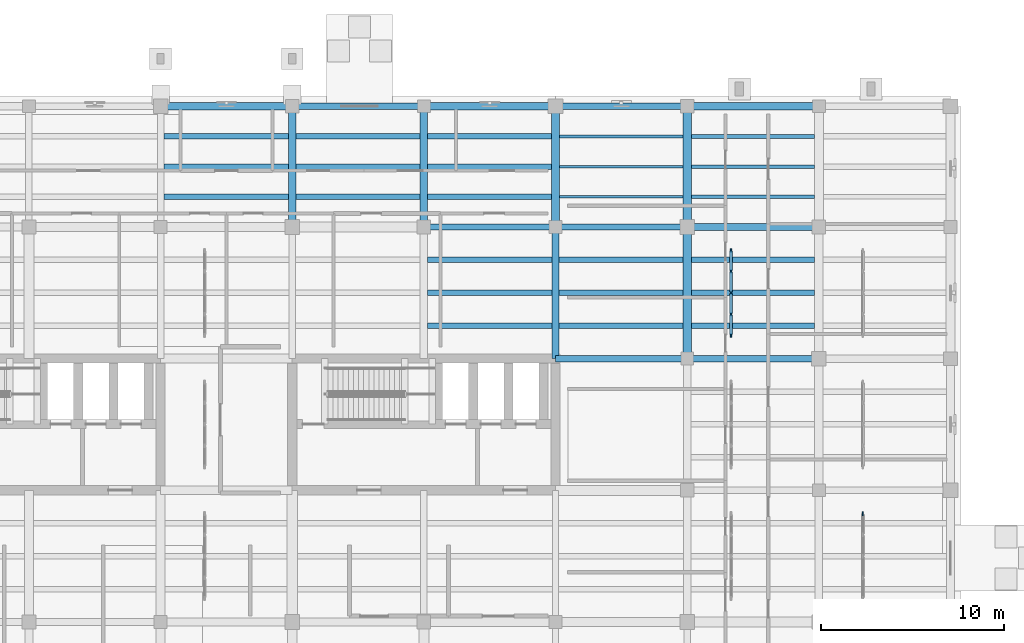
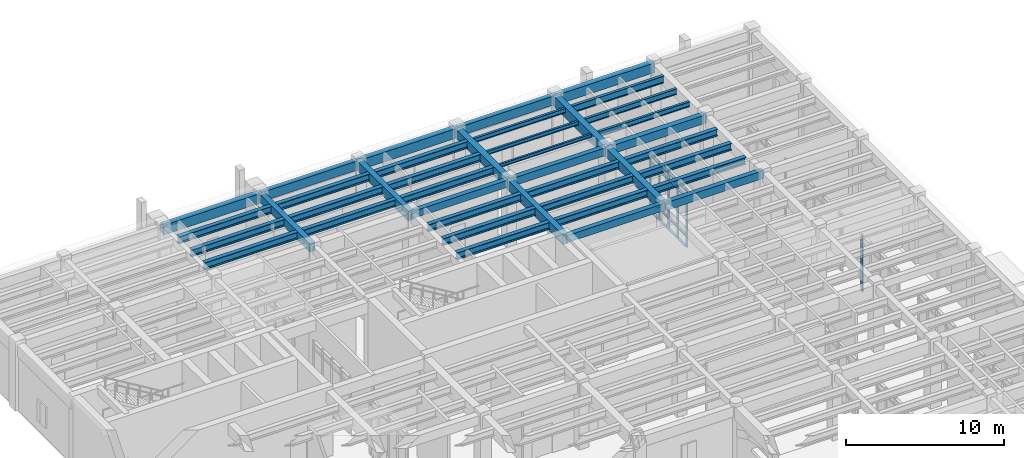
# One storey, part 47 of 100: 40 beams, 22 members, 2 elements without a shape of their own.
"""IFC4 building model written with IfcOpenShell, lengths in metres."""

from ifc_helpers import new_model, si_unit, direction, frame, origin, origin_2d, place, context, subcontext, project, spatial, rectangle, i_section, extrude, material, material_profile, profile_set, type_object, element, aggregate, save


model = new_model("IFC4")

# Units and contexts
model_context = context("Model", 3, precision=1e-05, world=origin(), true_north=direction((0.0, 1.0)))
body_context = subcontext(model_context, "Body", "Model", "MODEL_VIEW")
ifc_project = project(units=[si_unit("LENGTHUNIT", "METRE"), si_unit("AREAUNIT", "SQUARE_METRE"), si_unit("VOLUMEUNIT", "CUBIC_METRE"), si_unit("PLANEANGLEUNIT", "RADIAN"), si_unit("MASSUNIT", "GRAM", prefix="KILO")], contexts=[model_context])

# Site, building, storey
site_placement = place(None, origin())
site = spatial("IfcSite", under=ifc_project, at=site_placement, CompositionType="ELEMENT")
building_placement = place(site_placement, origin())
building = spatial("IfcBuilding", under=site, at=building_placement, Name="Mithqara Police Headquarters", CompositionType="ELEMENT")
storey_placement = place(building_placement, origin())
storey = spatial("IfcBuildingStorey", under=building, at=storey_placement, Name="L00", CompositionType="ELEMENT", Elevation=0.0)

# Beams
ifc_material_1 = material(Name="Steel S355JR", Category="steel")
ifc_material_profile_1 = material_profile(ifc_material_1, i_section(OverallWidth=0.300048828125, OverallDepth=0.550048828125, WebThickness=0.014892578125, FlangeThickness=0.029052734375, FilletRadius=0.027099609375, at=origin_2d()), Name="HEB 550")
ifc_profile_set_1 = profile_set([ifc_material_profile_1], Name="Steel S355JR")
beam_type_1 = type_object("IfcBeamType", Name="BEAM HEB550", PredefinedType="BEAM", material=ifc_profile_set_1)
for number, where, z_axis, x_axis, name in (
    (1, (123.175048828125, 109.050048828125, 4.844970703125), (1.0, 0.0, 0.0), (0.0, 1.0, 0.0), "L00 Composite Steel Joist 18-19/R.1"),
    (2, (123.175048828125, 110.699951171875, 4.844970703125), (1.0, 0.0, 0.0), (0.0, 1.0, 0.0), "L00 Composite Steel Joist 18-19/R.2"),
    (3, (123.175048828125, 112.35009765625, 4.844970703125), (1.0, 0.0, 0.0), (0.0, 1.0, 0.0), "L00 Composite Steel Joist 18-19/R.3"),
):
    element("IfcBeam", number, at=place(storey_placement, frame(where, z_axis=z_axis, x_axis=x_axis)), inside=storey, type_object=beam_type_1, Name=name, PredefinedType="BEAM", context=body_context, shape_type="SweptSolid", body=[
        extrude(i_section(OverallWidth=0.300048828125, OverallDepth=0.550048828125, WebThickness=0.014892578125, FlangeThickness=0.029052734375, FilletRadius=0.027099609375, at=origin_2d()), origin(), (0.0, 0.0, 1.0), 6.824951171875),
    ])
for number, where, z_axis, x_axis, name in (
    (4, (130.39990234375, 109.050048828125, 4.844970703125), (1.0, 0.0, 0.0), (0.0, 1.0, 0.0), "L00 Composite Steel Joist 19-20/R.1"),
    (5, (130.39990234375, 110.699951171875, 4.844970703125), (1.0, 0.0, 0.0), (0.0, 1.0, 0.0), "L00 Composite Steel Joist 19-20/R.2"),
    (6, (130.39990234375, 112.35009765625, 4.844970703125), (1.0, 0.0, 0.0), (0.0, 1.0, 0.0), "L00 Composite Steel Joist 19-20/R.3"),
):
    element("IfcBeam", number, at=place(storey_placement, frame(where, z_axis=z_axis, x_axis=x_axis)), inside=storey, type_object=beam_type_1, Name=name, PredefinedType="BEAM", context=body_context, shape_type="SweptSolid", body=[
        extrude(i_section(OverallWidth=0.300048828125, OverallDepth=0.550048828125, WebThickness=0.014892578125, FlangeThickness=0.029052734375, FilletRadius=0.027099609375, at=origin_2d()), origin(), (0.0, 0.0, 1.0), 6.800048828125),
    ])
for number, where, z_axis, x_axis, name in (
    (7, (137.60009765625, 102.0, 4.844970703125), (1.0, 0.0, 0.0), (0.0, 1.0, 0.0), "L00 Composite Steel Joist 20-21/Q.1"),
    (8, (137.60009765625, 103.800048828125, 4.844970703125), (1.0, 0.0, 0.0), (0.0, 1.0, 0.0), "L00 Composite Steel Joist 20-21/Q.2"),
    (9, (137.60009765625, 105.60009765625, 4.844970703125), (1.0, 0.0, 0.0), (0.0, 1.0, 0.0), "L00 Composite Steel Joist 20-21/Q.3"),
):
    element("IfcBeam", number, at=place(storey_placement, frame(where, z_axis=z_axis, x_axis=x_axis)), inside=storey, type_object=beam_type_1, Name=name, PredefinedType="BEAM", context=body_context, shape_type="SweptSolid", body=[
        extrude(i_section(OverallWidth=0.300048828125, OverallDepth=0.550048828125, WebThickness=0.014892578125, FlangeThickness=0.029052734375, FilletRadius=0.027099609375, at=origin_2d()), origin(), (0.0, 0.0, 1.0), 6.7998046875),
    ])
for number, where, z_axis, x_axis, name in (
    (10, (137.60009765625, 109.050048828125, 4.844970703125), (1.0, 0.0, 0.0), (0.0, 1.0, 0.0), "L00 Composite Steel Joist 20-21/R.1"),
    (11, (137.60009765625, 110.699951171875, 4.844970703125), (1.0, 0.0, 0.0), (0.0, 1.0, 0.0), "L00 Composite Steel Joist 20-21/R.2"),
    (12, (137.60009765625, 112.35009765625, 4.844970703125), (1.0, 0.0, 0.0), (0.0, 1.0, 0.0), "L00 Composite Steel Joist 20-21/R.3"),
    (13, (144.800048828125, 102.0, 4.844970703125), (1.0, 0.0, 0.0), (0.0, 1.0, 0.0), "L00 Composite Steel Joist 21-22/Q.1"),
    (14, (144.800048828125, 103.800048828125, 4.844970703125), (1.0, 0.0, 0.0), (0.0, 1.0, 0.0), "L00 Composite Steel Joist 21-22/Q.2"),
    (15, (144.800048828125, 105.60009765625, 4.844970703125), (1.0, 0.0, 0.0), (0.0, 1.0, 0.0), "L00 Composite Steel Joist 21-22/Q.3"),
):
    element("IfcBeam", number, at=place(storey_placement, frame(where, z_axis=z_axis, x_axis=x_axis)), inside=storey, type_object=beam_type_1, Name=name, PredefinedType="BEAM", context=body_context, shape_type="SweptSolid", body=[
        extrude(i_section(OverallWidth=0.300048828125, OverallDepth=0.550048828125, WebThickness=0.014892578125, FlangeThickness=0.029052734375, FilletRadius=0.027099609375, at=origin_2d()), origin(), (0.0, 0.0, 1.0), 6.77490234375),
    ])
for number, where, z_axis, x_axis, name in (
    (16, (152.02490234375, 102.0, 4.844970703125), (1.0, 0.0, 0.0), (0.0, 1.0, 0.0), "L00 Composite Steel Joist 22-23/Q.1"),
    (17, (152.02490234375, 103.800048828125, 4.844970703125), (1.0, 0.0, 0.0), (0.0, 1.0, 0.0), "L00 Composite Steel Joist 22-23/Q.2"),
    (18, (152.02490234375, 105.60009765625, 4.844970703125), (1.0, 0.0, 0.0), (0.0, 1.0, 0.0), "L00 Composite Steel Joist 22-23/Q.3"),
):
    element("IfcBeam", number, at=place(storey_placement, frame(where, z_axis=z_axis, x_axis=x_axis)), inside=storey, type_object=beam_type_1, Name=name, PredefinedType="BEAM", context=body_context, shape_type="SweptSolid", body=[
        extrude(i_section(OverallWidth=0.300048828125, OverallDepth=0.550048828125, WebThickness=0.014892578125, FlangeThickness=0.029052734375, FilletRadius=0.027099609375, at=origin_2d()), origin(), (0.0, 0.0, 1.0), 6.75),
    ])
ifc_material_2 = material(Name="Concrete C40/50", Category="concrete")
ifc_material_profile_2 = material_profile(ifc_material_2, rectangle(XDim=0.35009765625, YDim=0.550048828125, at=origin_2d()), Name="RC 350x550")
ifc_profile_set_2 = profile_set([ifc_material_profile_2], Name="Concrete C40/50")
beam_type_2 = type_object("IfcBeamType", Name="BEAM RC350X550", PredefinedType="BEAM", material=ifc_profile_set_2)
beam_1_placement = place(storey_placement, frame((137.39990234375, 107.39990234375, 4.844970703125), z_axis=(1.0, 0.0, 0.0), x_axis=(0.0, 1.0, 0.0)))
element("IfcBeam", 19, at=beam_1_placement, inside=storey, type_object=beam_type_2, Name="L00 Girder 20-21/R", PredefinedType="BEAM", context=body_context, shape_type="SweptSolid", body=[
    extrude(rectangle(XDim=0.35009765625, YDim=0.550048828125, at=origin_2d()), origin(), (0.0, 0.0, 1.0), 7.2001953125),
])
beam_2_placement = place(storey_placement, frame((144.60009765625, 100.199951171875, 4.844970703125), z_axis=(1.0, 0.0, 0.0), x_axis=(0.0, 1.0, 0.0)))
element("IfcBeam", 20, at=beam_2_placement, inside=storey, type_object=beam_type_2, Name="L00 Girder 21-22/Q", PredefinedType="BEAM", context=body_context, shape_type="SweptSolid", body=[
    extrude(rectangle(XDim=0.35009765625, YDim=0.550048828125, at=origin_2d()), origin(), (0.0, 0.0, 1.0), 7.199951171875),
])
ifc_material_profile_3 = material_profile(ifc_material_2, rectangle(XDim=0.35009765625, YDim=0.60009765625, at=origin_2d()), Name="RC 350x600")
ifc_profile_set_3 = profile_set([ifc_material_profile_3], Name="Concrete C40/50")
beam_type_3 = type_object("IfcBeamType", Name="BEAM RC350X600", PredefinedType="BEAM", material=ifc_profile_set_3)
for number, where, z_axis, x_axis, name in (
    (21, (144.60009765625, 107.39990234375, 4.820068359375), (1.0, 0.0, 0.0), (0.0, 1.0, 0.0), "L00 Girder 21-22/R"),
    (22, (151.800048828125, 100.199951171875, 4.820068359375), (1.0, 0.0, 0.0), (0.0, 1.0, 0.0), "L00 Girder 22-23/Q"),
):
    element("IfcBeam", number, at=place(storey_placement, frame(where, z_axis=z_axis, x_axis=x_axis)), inside=storey, type_object=beam_type_3, Name=name, PredefinedType="BEAM", context=body_context, shape_type="SweptSolid", body=[
        extrude(rectangle(XDim=0.35009765625, YDim=0.60009765625, at=origin_2d()), origin(), (0.0, 0.0, 1.0), 7.199951171875),
    ])
ifc_material_profile_4 = material_profile(ifc_material_2, rectangle(XDim=0.39990234375, YDim=0.64990234375, at=origin_2d()), Name="RC 400x650")
ifc_profile_set_4 = profile_set([ifc_material_profile_4], Name="Concrete C40/50")
beam_type_4 = type_object("IfcBeamType", Name="BEAM RC400X650", PredefinedType="BEAM", material=ifc_profile_set_4)
beam_3_placement = place(storey_placement, frame((130.199951171875, 107.39990234375, 4.794921875), z_axis=(0.0, 1.0, 0.0), x_axis=(-1.0, 0.0, 0.0)))
element("IfcBeam", 23, at=beam_3_placement, inside=storey, type_object=beam_type_4, Name="L00 Girder 19/R-S", PredefinedType="BEAM", context=body_context, shape_type="SweptSolid", body=[
    extrude(rectangle(XDim=0.39990234375, YDim=0.64990234375, at=origin_2d()), origin(), (0.0, 0.0, 1.0), 6.60009765625),
])
beam_4_placement = place(storey_placement, frame((151.800048828125, 107.39990234375, 4.794921875), z_axis=(1.0, 0.0, 0.0), x_axis=(0.0, 1.0, 0.0)))
element("IfcBeam", 24, at=beam_4_placement, inside=storey, type_object=beam_type_4, Name="L00 Girder 22-23/R", PredefinedType="BEAM", context=body_context, shape_type="SweptSolid", body=[
    extrude(rectangle(XDim=0.39990234375, YDim=0.64990234375, at=origin_2d()), origin(), (0.0, 0.0, 1.0), 7.199951171875),
])
ifc_material_profile_5 = material_profile(ifc_material_2, rectangle(XDim=0.39990234375, YDim=0.75, at=origin_2d()), Name="RC 400x750")
ifc_profile_set_5 = profile_set([ifc_material_profile_5], Name="Concrete C40/50")
beam_type_5 = type_object("IfcBeamType", Name="BEAM RC400X750", PredefinedType="BEAM", material=ifc_profile_set_5)
beam_5_placement = place(storey_placement, frame((137.39990234375, 107.39990234375, 4.7451171875), z_axis=(0.0, 1.0, 0.0), x_axis=(-1.0, 0.0, 0.0)))
element("IfcBeam", 25, at=beam_5_placement, inside=storey, type_object=beam_type_5, Name="L00 Girder 20/R-S", PredefinedType="BEAM", context=body_context, shape_type="SweptSolid", body=[
    extrude(rectangle(XDim=0.39990234375, YDim=0.75, at=origin_2d()), origin(), (0.0, 0.0, 1.0), 6.60009765625),
])
beam_6_placement = place(storey_placement, frame((144.60009765625, 100.199951171875, 4.7451171875), z_axis=(0.0, 1.0, 0.0), x_axis=(-1.0, 0.0, 0.0)))
element("IfcBeam", 26, at=beam_6_placement, inside=storey, type_object=beam_type_5, Name="L00 Girder 21/Q-R", PredefinedType="BEAM", context=body_context, shape_type="SweptSolid", body=[
    extrude(rectangle(XDim=0.39990234375, YDim=0.75, at=origin_2d()), origin(), (0.0, 0.0, 1.0), 7.199951171875),
])
ifc_material_profile_6 = material_profile(ifc_material_2, rectangle(XDim=0.449951171875, YDim=0.699951171875, at=origin_2d()), Name="RC 450x700")
ifc_profile_set_6 = profile_set([ifc_material_profile_6], Name="Concrete C40/50")
beam_type_6 = type_object("IfcBeamType", Name="BEAM RC450X700", PredefinedType="BEAM", material=ifc_profile_set_6)
beam_7_placement = place(storey_placement, frame((144.60009765625, 107.39990234375, 4.77001953125), z_axis=(0.0, 1.0, 0.0), x_axis=(-1.0, 0.0, 0.0)))
element("IfcBeam", 27, at=beam_7_placement, inside=storey, type_object=beam_type_6, Name="L00 Girder 21/R-S", PredefinedType="BEAM", context=body_context, shape_type="SweptSolid", body=[
    extrude(rectangle(XDim=0.449951171875, YDim=0.699951171875, at=origin_2d()), origin(), (0.0, 0.0, 1.0), 6.60009765625),
])
beam_8_placement = place(storey_placement, frame((151.800048828125, 100.199951171875, 4.77001953125), z_axis=(0.0, 1.0, 0.0), x_axis=(-1.0, 0.0, 0.0)))
element("IfcBeam", 28, at=beam_8_placement, inside=storey, type_object=beam_type_6, Name="L00 Girder 22/Q-R", PredefinedType="BEAM", context=body_context, shape_type="SweptSolid", body=[
    extrude(rectangle(XDim=0.449951171875, YDim=0.699951171875, at=origin_2d()), origin(), (0.0, 0.0, 1.0), 7.199951171875),
])
ifc_material_profile_7 = material_profile(ifc_material_2, rectangle(XDim=0.449951171875, YDim=0.800048828125, at=origin_2d()), Name="RC 450x800")
ifc_profile_set_7 = profile_set([ifc_material_profile_7], Name="Concrete C40/50")
beam_type_7 = type_object("IfcBeamType", Name="BEAM RC450X800", PredefinedType="BEAM", material=ifc_profile_set_7)
beam_9_placement = place(storey_placement, frame((151.800048828125, 107.39990234375, 4.719970703125), z_axis=(0.0, 1.0, 0.0), x_axis=(-1.0, 0.0, 0.0)))
element("IfcBeam", 29, at=beam_9_placement, inside=storey, type_object=beam_type_7, Name="L00 Girder 22/R-S", PredefinedType="BEAM", context=body_context, shape_type="SweptSolid", body=[
    extrude(rectangle(XDim=0.449951171875, YDim=0.800048828125, at=origin_2d()), origin(), (0.0, 0.0, 1.0), 6.60009765625),
])

# Curtain wall, members
ifc_material_3 = material(Name="Bronze anodised aluminium 6063-T6", Category="aluminium")
curtain_wall_type = type_object("IfcCurtainWallType", Name="CURTAIN WALL 4700X4400", PredefinedType="USERDEFINED", material=ifc_material_3)
curtain_wall_1_placement = place(storey_placement, origin())
curtain_wall_1 = element("IfcCurtainWall", 30, at=curtain_wall_1_placement, inside=storey, type_object=curtain_wall_type, Name="L00 Unitised Glazing CW-14 (CW-INT-L00-X21-Y14-0)", ObjectType="UNITISED GLAZING", PredefinedType="USERDEFINED")
ifc_material_profile_8 = material_profile(ifc_material_3, rectangle(XDim=0.074951171875, YDim=0.219970703125, at=origin_2d()), Name="CWM 75x220")
ifc_profile_set_8 = profile_set([ifc_material_profile_8], Name="Bronze anodised aluminium 6063-T6")
member_type_1 = type_object("IfcMemberType", Name="CWMULLION 75X220", PredefinedType="MULLION", material=ifc_profile_set_8)
member_1_placement = place(storey_placement, frame((154.199951171875, 101.487548828125, 0.0), z_axis=(0.0, 0.0, 1.0), x_axis=(-1.0, 0.0, 0.0)))
member_1 = element("IfcMember", 31, at=member_1_placement, type_object=member_type_1, Name="CW-14 mullion 1", PredefinedType="MULLION", context=body_context, shape_type="SweptSolid", body=[
    extrude(rectangle(XDim=0.074951171875, YDim=0.219970703125, at=origin_2d()), origin(), (0.0, 0.0, 1.0), 4.39990234375),
])
member_2_placement = place(storey_placement, frame((154.199951171875, 102.625, 0.0), z_axis=(0.0, 0.0, 1.0), x_axis=(-1.0, 0.0, 0.0)))
member_2 = element("IfcMember", 32, at=member_2_placement, type_object=member_type_1, Name="CW-14 mullion 2", PredefinedType="MULLION", context=body_context, shape_type="SweptSolid", body=[
    extrude(rectangle(XDim=0.074951171875, YDim=0.219970703125, at=origin_2d()), origin(), (0.0, 0.0, 1.0), 4.39990234375),
])
member_3_placement = place(storey_placement, frame((154.199951171875, 103.800048828125, 0.0), z_axis=(0.0, 0.0, 1.0), x_axis=(-1.0, 0.0, 0.0)))
member_3 = element("IfcMember", 33, at=member_3_placement, type_object=member_type_1, Name="CW-14 mullion 3", PredefinedType="MULLION", context=body_context, shape_type="SweptSolid", body=[
    extrude(rectangle(XDim=0.074951171875, YDim=0.219970703125, at=origin_2d()), origin(), (0.0, 0.0, 1.0), 4.39990234375),
])
member_4_placement = place(storey_placement, frame((154.199951171875, 104.97509765625, 0.0), z_axis=(0.0, 0.0, 1.0), x_axis=(-1.0, 0.0, 0.0)))
member_4 = element("IfcMember", 34, at=member_4_placement, type_object=member_type_1, Name="CW-14 mullion 4", PredefinedType="MULLION", context=body_context, shape_type="SweptSolid", body=[
    extrude(rectangle(XDim=0.074951171875, YDim=0.219970703125, at=origin_2d()), origin(), (0.0, 0.0, 1.0), 4.39990234375),
])
member_5_placement = place(storey_placement, frame((154.199951171875, 106.112548828125, 0.0), z_axis=(0.0, 0.0, 1.0), x_axis=(-1.0, 0.0, 0.0)))
member_5 = element("IfcMember", 35, at=member_5_placement, type_object=member_type_1, Name="CW-14 mullion 5", PredefinedType="MULLION", context=body_context, shape_type="SweptSolid", body=[
    extrude(rectangle(XDim=0.074951171875, YDim=0.219970703125, at=origin_2d()), origin(), (0.0, 0.0, 1.0), 4.39990234375),
])

# Curtain wall, member
curtain_wall_2_placement = place(storey_placement, origin())
curtain_wall_2 = element("IfcCurtainWall", 36, at=curtain_wall_2_placement, inside=storey, type_object=curtain_wall_type, Name="L00 Unitised Glazing CW-14 (CW-INT-L00-X22-Y12-0)", ObjectType="UNITISED GLAZING", PredefinedType="USERDEFINED")
member_6_placement = place(storey_placement, frame((161.39990234375, 91.71240234375, 0.0), z_axis=(0.0, 0.0, 1.0), x_axis=(-1.0, 0.0, 0.0)))
member_6 = element("IfcMember", 37, at=member_6_placement, type_object=member_type_1, Name="CW-14 mullion 5", PredefinedType="MULLION", context=body_context, shape_type="SweptSolid", body=[
    extrude(rectangle(XDim=0.074951171875, YDim=0.219970703125, at=origin_2d()), origin(), (0.0, 0.0, 1.0), 4.39990234375),
])
aggregate(curtain_wall_2, [member_6])

# Member
ifc_material_profile_9 = material_profile(ifc_material_3, rectangle(XDim=0.179931640625, YDim=0.074951171875, at=origin_2d()), Name="CWT 180x75")
ifc_profile_set_9 = profile_set([ifc_material_profile_9], Name="Bronze anodised aluminium 6063-T6")
member_type_2 = type_object("IfcMemberType", Name="CWTRANSOM 180X75", PredefinedType="USERDEFINED", material=ifc_profile_set_9)
member_7_placement = place(storey_placement, frame((154.199951171875, 101.52490234375, 0.03759765625), z_axis=(0.0, 1.0, 0.0), x_axis=(-1.0, 0.0, 0.0)))
member_7 = element("IfcMember", 38, at=member_7_placement, type_object=member_type_2, Name="CW-14 transom 1.1", ObjectType="TRANSOM", PredefinedType="USERDEFINED", context=body_context, shape_type="SweptSolid", body=[
    extrude(rectangle(XDim=0.179931640625, YDim=0.074951171875, at=origin_2d()), origin(), (0.0, 0.0, 1.0), 1.0625),
])

member_8_placement = place(storey_placement, frame((154.199951171875, 101.52490234375, 0.89990234375), z_axis=(0.0, 1.0, 0.0), x_axis=(-1.0, 0.0, 0.0)))
member_8 = element("IfcMember", 39, at=member_8_placement, type_object=member_type_2, Name="CW-14 transom 1.2", ObjectType="TRANSOM", PredefinedType="USERDEFINED", context=body_context, shape_type="SweptSolid", body=[
    extrude(rectangle(XDim=0.179931640625, YDim=0.074951171875, at=origin_2d()), origin(), (0.0, 0.0, 1.0), 1.0625),
])

member_9_placement = place(storey_placement, frame((154.199951171875, 101.52490234375, 3.85009765625), z_axis=(0.0, 1.0, 0.0), x_axis=(-1.0, 0.0, 0.0)))
member_9 = element("IfcMember", 40, at=member_9_placement, type_object=member_type_2, Name="CW-14 transom 1.3", ObjectType="TRANSOM", PredefinedType="USERDEFINED", context=body_context, shape_type="SweptSolid", body=[
    extrude(rectangle(XDim=0.179931640625, YDim=0.074951171875, at=origin_2d()), origin(), (0.0, 0.0, 1.0), 1.0625),
])

member_10_placement = place(storey_placement, frame((154.199951171875, 101.52490234375, 4.362548828125), z_axis=(0.0, 1.0, 0.0), x_axis=(-1.0, 0.0, 0.0)))
member_10 = element("IfcMember", 41, at=member_10_placement, type_object=member_type_2, Name="CW-14 transom 1.4", ObjectType="TRANSOM", PredefinedType="USERDEFINED", context=body_context, shape_type="SweptSolid", body=[
    extrude(rectangle(XDim=0.179931640625, YDim=0.074951171875, at=origin_2d()), origin(), (0.0, 0.0, 1.0), 1.0625),
])

member_11_placement = place(storey_placement, frame((154.199951171875, 102.66259765625, 0.03759765625), z_axis=(0.0, 1.0, 0.0), x_axis=(-1.0, 0.0, 0.0)))
member_11 = element("IfcMember", 42, at=member_11_placement, type_object=member_type_2, Name="CW-14 transom 2.1", ObjectType="TRANSOM", PredefinedType="USERDEFINED", context=body_context, shape_type="SweptSolid", body=[
    extrude(rectangle(XDim=0.179931640625, YDim=0.074951171875, at=origin_2d()), origin(), (0.0, 0.0, 1.0), 1.099853515625),
])

member_12_placement = place(storey_placement, frame((154.199951171875, 102.66259765625, 0.89990234375), z_axis=(0.0, 1.0, 0.0), x_axis=(-1.0, 0.0, 0.0)))
member_12 = element("IfcMember", 43, at=member_12_placement, type_object=member_type_2, Name="CW-14 transom 2.2", ObjectType="TRANSOM", PredefinedType="USERDEFINED", context=body_context, shape_type="SweptSolid", body=[
    extrude(rectangle(XDim=0.179931640625, YDim=0.074951171875, at=origin_2d()), origin(), (0.0, 0.0, 1.0), 1.099853515625),
])

member_13_placement = place(storey_placement, frame((154.199951171875, 102.66259765625, 3.85009765625), z_axis=(0.0, 1.0, 0.0), x_axis=(-1.0, 0.0, 0.0)))
member_13 = element("IfcMember", 44, at=member_13_placement, type_object=member_type_2, Name="CW-14 transom 2.3", ObjectType="TRANSOM", PredefinedType="USERDEFINED", context=body_context, shape_type="SweptSolid", body=[
    extrude(rectangle(XDim=0.179931640625, YDim=0.074951171875, at=origin_2d()), origin(), (0.0, 0.0, 1.0), 1.099853515625),
])

member_14_placement = place(storey_placement, frame((154.199951171875, 102.66259765625, 4.362548828125), z_axis=(0.0, 1.0, 0.0), x_axis=(-1.0, 0.0, 0.0)))
member_14 = element("IfcMember", 45, at=member_14_placement, type_object=member_type_2, Name="CW-14 transom 2.4", ObjectType="TRANSOM", PredefinedType="USERDEFINED", context=body_context, shape_type="SweptSolid", body=[
    extrude(rectangle(XDim=0.179931640625, YDim=0.074951171875, at=origin_2d()), origin(), (0.0, 0.0, 1.0), 1.099853515625),
])

member_15_placement = place(storey_placement, frame((154.199951171875, 103.83740234375, 0.03759765625), z_axis=(0.0, 1.0, 0.0), x_axis=(-1.0, 0.0, 0.0)))
member_15 = element("IfcMember", 46, at=member_15_placement, type_object=member_type_2, Name="CW-14 transom 3.1", ObjectType="TRANSOM", PredefinedType="USERDEFINED", context=body_context, shape_type="SweptSolid", body=[
    extrude(rectangle(XDim=0.179931640625, YDim=0.074951171875, at=origin_2d()), origin(), (0.0, 0.0, 1.0), 1.10009765625),
])

member_16_placement = place(storey_placement, frame((154.199951171875, 103.83740234375, 0.89990234375), z_axis=(0.0, 1.0, 0.0), x_axis=(-1.0, 0.0, 0.0)))
member_16 = element("IfcMember", 47, at=member_16_placement, type_object=member_type_2, Name="CW-14 transom 3.2", ObjectType="TRANSOM", PredefinedType="USERDEFINED", context=body_context, shape_type="SweptSolid", body=[
    extrude(rectangle(XDim=0.179931640625, YDim=0.074951171875, at=origin_2d()), origin(), (0.0, 0.0, 1.0), 1.10009765625),
])

member_17_placement = place(storey_placement, frame((154.199951171875, 103.83740234375, 3.85009765625), z_axis=(0.0, 1.0, 0.0), x_axis=(-1.0, 0.0, 0.0)))
member_17 = element("IfcMember", 48, at=member_17_placement, type_object=member_type_2, Name="CW-14 transom 3.3", ObjectType="TRANSOM", PredefinedType="USERDEFINED", context=body_context, shape_type="SweptSolid", body=[
    extrude(rectangle(XDim=0.179931640625, YDim=0.074951171875, at=origin_2d()), origin(), (0.0, 0.0, 1.0), 1.10009765625),
])

member_18_placement = place(storey_placement, frame((154.199951171875, 103.83740234375, 4.362548828125), z_axis=(0.0, 1.0, 0.0), x_axis=(-1.0, 0.0, 0.0)))
member_18 = element("IfcMember", 49, at=member_18_placement, type_object=member_type_2, Name="CW-14 transom 3.4", ObjectType="TRANSOM", PredefinedType="USERDEFINED", context=body_context, shape_type="SweptSolid", body=[
    extrude(rectangle(XDim=0.179931640625, YDim=0.074951171875, at=origin_2d()), origin(), (0.0, 0.0, 1.0), 1.10009765625),
])

member_19_placement = place(storey_placement, frame((154.199951171875, 105.012451171875, 0.03759765625), z_axis=(0.0, 1.0, 0.0), x_axis=(-1.0, 0.0, 0.0)))
member_19 = element("IfcMember", 50, at=member_19_placement, type_object=member_type_2, Name="CW-14 transom 4.1", ObjectType="TRANSOM", PredefinedType="USERDEFINED", context=body_context, shape_type="SweptSolid", body=[
    extrude(rectangle(XDim=0.179931640625, YDim=0.074951171875, at=origin_2d()), origin(), (0.0, 0.0, 1.0), 1.0625),
])

member_20_placement = place(storey_placement, frame((154.199951171875, 105.012451171875, 0.89990234375), z_axis=(0.0, 1.0, 0.0), x_axis=(-1.0, 0.0, 0.0)))
member_20 = element("IfcMember", 51, at=member_20_placement, type_object=member_type_2, Name="CW-14 transom 4.2", ObjectType="TRANSOM", PredefinedType="USERDEFINED", context=body_context, shape_type="SweptSolid", body=[
    extrude(rectangle(XDim=0.179931640625, YDim=0.074951171875, at=origin_2d()), origin(), (0.0, 0.0, 1.0), 1.0625),
])

member_21_placement = place(storey_placement, frame((154.199951171875, 105.012451171875, 3.85009765625), z_axis=(0.0, 1.0, 0.0), x_axis=(-1.0, 0.0, 0.0)))
member_21 = element("IfcMember", 52, at=member_21_placement, type_object=member_type_2, Name="CW-14 transom 4.3", ObjectType="TRANSOM", PredefinedType="USERDEFINED", context=body_context, shape_type="SweptSolid", body=[
    extrude(rectangle(XDim=0.179931640625, YDim=0.074951171875, at=origin_2d()), origin(), (0.0, 0.0, 1.0), 1.0625),
])

member_22_placement = place(storey_placement, frame((154.199951171875, 105.012451171875, 4.362548828125), z_axis=(0.0, 1.0, 0.0), x_axis=(-1.0, 0.0, 0.0)))
member_22 = element("IfcMember", 53, at=member_22_placement, type_object=member_type_2, Name="CW-14 transom 4.4", ObjectType="TRANSOM", PredefinedType="USERDEFINED", context=body_context, shape_type="SweptSolid", body=[
    extrude(rectangle(XDim=0.179931640625, YDim=0.074951171875, at=origin_2d()), origin(), (0.0, 0.0, 1.0), 1.0625),
])

aggregate(curtain_wall_1, [member_1, member_2, member_3, member_4, member_5, member_7, member_8, member_9, member_10, member_11, member_12, member_13, member_14, member_15, member_16, member_17, member_18, member_19, member_20, member_21, member_22])

# Beams
ifc_material_profile_10 = material_profile(ifc_material_1, i_section(OverallWidth=0.135009765625, OverallDepth=0.27001953125, WebThickness=0.006591796875, FlangeThickness=0.01025390625, FilletRadius=0.014892578125, at=origin_2d()), Name="IPE 270")
ifc_profile_set_10 = profile_set([ifc_material_profile_10], Name="Steel S355JR")
beam_type_8 = type_object("IfcBeamType", Name="JOIST IPE270", PredefinedType="JOIST", material=ifc_profile_set_10)
beam_10_placement = place(storey_placement, frame((144.824951171875, 109.050048828125, 4.985107421875), z_axis=(1.0, 0.0, 0.0), x_axis=(0.0, 1.0, 0.0)))
element("IfcBeam", 54, at=beam_10_placement, inside=storey, type_object=beam_type_8, Name="L00 Composite Steel Joist 21-22/R.1", PredefinedType="JOIST", context=body_context, shape_type="SweptSolid", body=[
    extrude(i_section(OverallWidth=0.135009765625, OverallDepth=0.27001953125, WebThickness=0.006591796875, FlangeThickness=0.01025390625, FilletRadius=0.014892578125, at=origin_2d()), origin(), (0.0, 0.0, 1.0), 6.75),
])
ifc_material_profile_11 = material_profile(ifc_material_1, i_section(OverallWidth=0.14990234375, OverallDepth=0.300048828125, WebThickness=0.007080078125, FlangeThickness=0.0107421875, FilletRadius=0.014892578125, at=origin_2d()), Name="IPE 300")
ifc_profile_set_11 = profile_set([ifc_material_profile_11], Name="Steel S355JR")
beam_type_9 = type_object("IfcBeamType", Name="JOIST IPE300", PredefinedType="JOIST", material=ifc_profile_set_11)
beam_11_placement = place(storey_placement, frame((144.824951171875, 110.699951171875, 4.969970703125), z_axis=(1.0, 0.0, 0.0), x_axis=(0.0, 1.0, 0.0)))
element("IfcBeam", 55, at=beam_11_placement, inside=storey, type_object=beam_type_9, Name="L00 Composite Steel Joist 21-22/R.2", PredefinedType="JOIST", context=body_context, shape_type="SweptSolid", body=[
    extrude(i_section(OverallWidth=0.14990234375, OverallDepth=0.300048828125, WebThickness=0.007080078125, FlangeThickness=0.0107421875, FilletRadius=0.014892578125, at=origin_2d()), origin(), (0.0, 0.0, 1.0), 6.75),
])
ifc_material_profile_12 = material_profile(ifc_material_1, i_section(OverallWidth=0.169921875, OverallDepth=0.360107421875, WebThickness=0.008056640625, FlangeThickness=0.0126953125, FilletRadius=0.01806640625, at=origin_2d()), Name="IPE 360")
ifc_profile_set_12 = profile_set([ifc_material_profile_12], Name="Steel S355JR")
beam_type_10 = type_object("IfcBeamType", Name="JOIST IPE360", PredefinedType="JOIST", material=ifc_profile_set_12)
beam_12_placement = place(storey_placement, frame((144.824951171875, 112.35009765625, 4.93994140625), z_axis=(1.0, 0.0, 0.0), x_axis=(0.0, 1.0, 0.0)))
element("IfcBeam", 56, at=beam_12_placement, inside=storey, type_object=beam_type_10, Name="L00 Composite Steel Joist 21-22/R.3", PredefinedType="JOIST", context=body_context, shape_type="SweptSolid", body=[
    extrude(i_section(OverallWidth=0.169921875, OverallDepth=0.360107421875, WebThickness=0.008056640625, FlangeThickness=0.0126953125, FilletRadius=0.01806640625, at=origin_2d()), origin(), (0.0, 0.0, 1.0), 6.75),
])
ifc_material_profile_13 = material_profile(ifc_material_1, i_section(OverallWidth=0.179931640625, OverallDepth=0.39990234375, WebThickness=0.008544921875, FlangeThickness=0.013427734375, FilletRadius=0.02099609375, at=origin_2d()), Name="IPE 400")
ifc_profile_set_13 = profile_set([ifc_material_profile_13], Name="Steel S355JR")
beam_type_11 = type_object("IfcBeamType", Name="JOIST IPE400", PredefinedType="JOIST", material=ifc_profile_set_13)
beam_13_placement = place(storey_placement, frame((152.02490234375, 109.050048828125, 4.919921875), z_axis=(1.0, 0.0, 0.0), x_axis=(0.0, 1.0, 0.0)))
element("IfcBeam", 57, at=beam_13_placement, inside=storey, type_object=beam_type_11, Name="L00 Composite Steel Joist 22-23/R.1", PredefinedType="JOIST", context=body_context, shape_type="SweptSolid", body=[
    extrude(i_section(OverallWidth=0.179931640625, OverallDepth=0.39990234375, WebThickness=0.008544921875, FlangeThickness=0.013427734375, FilletRadius=0.02099609375, at=origin_2d()), origin(), (0.0, 0.0, 1.0), 6.72509765625),
])
ifc_material_profile_14 = material_profile(ifc_material_1, i_section(OverallWidth=0.18994140625, OverallDepth=0.449951171875, WebThickness=0.009521484375, FlangeThickness=0.0146484375, FilletRadius=0.02099609375, at=origin_2d()), Name="IPE 450")
ifc_profile_set_14 = profile_set([ifc_material_profile_14], Name="Steel S355JR")
beam_type_12 = type_object("IfcBeamType", Name="JOIST IPE450", PredefinedType="JOIST", material=ifc_profile_set_14)
beam_14_placement = place(storey_placement, frame((152.02490234375, 110.699951171875, 4.89501953125), z_axis=(1.0, 0.0, 0.0), x_axis=(0.0, 1.0, 0.0)))
element("IfcBeam", 58, at=beam_14_placement, inside=storey, type_object=beam_type_12, Name="L00 Composite Steel Joist 22-23/R.2", PredefinedType="JOIST", context=body_context, shape_type="SweptSolid", body=[
    extrude(i_section(OverallWidth=0.18994140625, OverallDepth=0.449951171875, WebThickness=0.009521484375, FlangeThickness=0.0146484375, FilletRadius=0.02099609375, at=origin_2d()), origin(), (0.0, 0.0, 1.0), 6.72509765625),
])
ifc_material_profile_15 = material_profile(ifc_material_1, i_section(OverallWidth=0.2099609375, OverallDepth=0.550048828125, WebThickness=0.010986328125, FlangeThickness=0.01708984375, FilletRadius=0.02392578125, at=origin_2d()), Name="IPE 550")
ifc_profile_set_15 = profile_set([ifc_material_profile_15], Name="Steel S355JR")
beam_type_13 = type_object("IfcBeamType", Name="JOIST IPE550", PredefinedType="JOIST", material=ifc_profile_set_15)
beam_15_placement = place(storey_placement, frame((152.02490234375, 112.35009765625, 4.844970703125), z_axis=(1.0, 0.0, 0.0), x_axis=(0.0, 1.0, 0.0)))
element("IfcBeam", 59, at=beam_15_placement, inside=storey, type_object=beam_type_13, Name="L00 Composite Steel Joist 22-23/R.3", PredefinedType="JOIST", context=body_context, shape_type="SweptSolid", body=[
    extrude(i_section(OverallWidth=0.2099609375, OverallDepth=0.550048828125, WebThickness=0.010986328125, FlangeThickness=0.01708984375, FilletRadius=0.02392578125, at=origin_2d()), origin(), (0.0, 0.0, 1.0), 6.72509765625),
])
ifc_material_profile_16 = material_profile(ifc_material_2, rectangle(XDim=0.35009765625, YDim=0.699951171875, at=origin_2d()), Name="SPB 350x700")
ifc_profile_set_16 = profile_set([ifc_material_profile_16], Name="Concrete C40/50")
beam_type_14 = type_object("IfcBeamType", Name="SPANDREL 350X700", PredefinedType="SPANDREL", material=ifc_profile_set_16)
for number, where, z_axis, x_axis, name in (
    (60, (130.199951171875, 114.0, 4.77001953125), (1.0, 0.0, 0.0), (0.0, 1.0, 0.0), "L00 Girder 19-20/S"),
    (61, (144.60009765625, 114.0, 4.77001953125), (1.0, 0.0, 0.0), (0.0, 1.0, 0.0), "L00 Girder 21-22/S"),
):
    element("IfcBeam", number, at=place(storey_placement, frame(where, z_axis=z_axis, x_axis=x_axis)), inside=storey, type_object=beam_type_14, Name=name, PredefinedType="SPANDREL", context=body_context, shape_type="SweptSolid", body=[
        extrude(rectangle(XDim=0.35009765625, YDim=0.699951171875, at=origin_2d()), origin(), (0.0, 0.0, 1.0), 7.199951171875),
    ])
ifc_material_profile_17 = material_profile(ifc_material_2, rectangle(XDim=0.39990234375, YDim=0.75, at=origin_2d()), Name="SPB 400x750")
ifc_profile_set_17 = profile_set([ifc_material_profile_17], Name="Concrete C40/50")
beam_type_15 = type_object("IfcBeamType", Name="SPANDREL 400X750", PredefinedType="SPANDREL", material=ifc_profile_set_17)
beam_16_placement = place(storey_placement, frame((123.0, 114.0, 4.7451171875), z_axis=(1.0, 0.0, 0.0), x_axis=(0.0, 1.0, 0.0)))
element("IfcBeam", 62, at=beam_16_placement, inside=storey, type_object=beam_type_15, Name="L00 Girder 18-19/S", PredefinedType="SPANDREL", context=body_context, shape_type="SweptSolid", body=[
    extrude(rectangle(XDim=0.39990234375, YDim=0.75, at=origin_2d()), origin(), (0.0, 0.0, 1.0), 7.199951171875),
])
beam_17_placement = place(storey_placement, frame((137.39990234375, 114.0, 4.7451171875), z_axis=(1.0, 0.0, 0.0), x_axis=(0.0, 1.0, 0.0)))
element("IfcBeam", 63, at=beam_17_placement, inside=storey, type_object=beam_type_15, Name="L00 Girder 20-21/S", PredefinedType="SPANDREL", context=body_context, shape_type="SweptSolid", body=[
    extrude(rectangle(XDim=0.39990234375, YDim=0.75, at=origin_2d()), origin(), (0.0, 0.0, 1.0), 7.2001953125),
])
beam_18_placement = place(storey_placement, frame((151.800048828125, 114.0, 4.7451171875), z_axis=(1.0, 0.0, 0.0), x_axis=(0.0, 1.0, 0.0)))
element("IfcBeam", 64, at=beam_18_placement, inside=storey, type_object=beam_type_15, Name="L00 Girder 22-23/S", PredefinedType="SPANDREL", context=body_context, shape_type="SweptSolid", body=[
    extrude(rectangle(XDim=0.39990234375, YDim=0.75, at=origin_2d()), origin(), (0.0, 0.0, 1.0), 7.199951171875),
])

save(model, "model.ifc")
